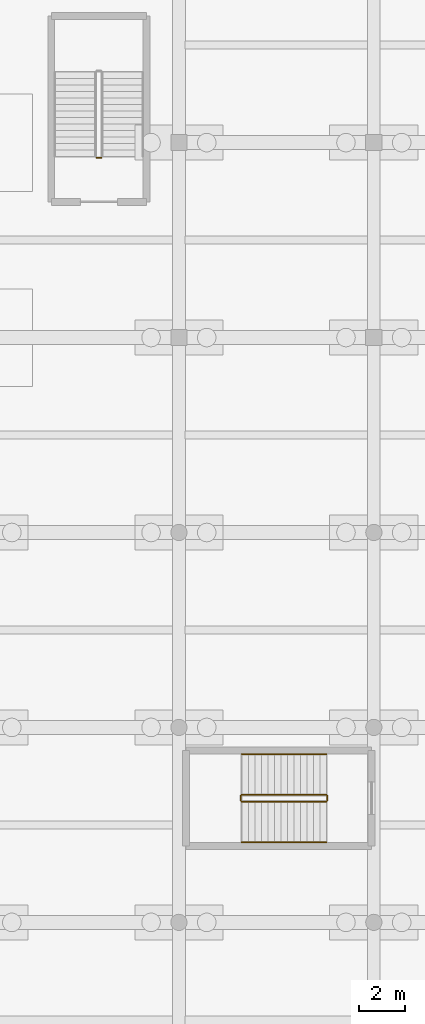
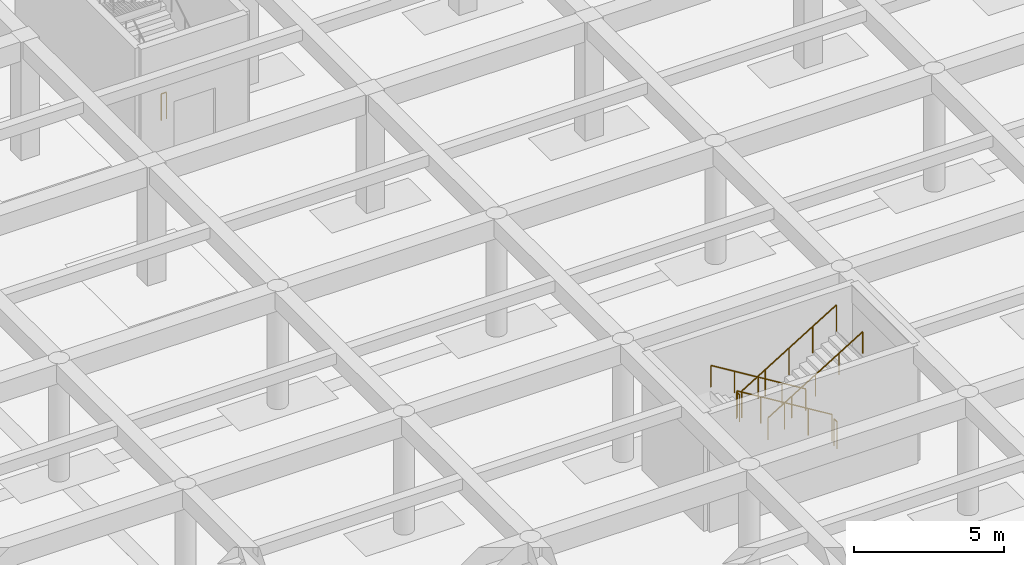
# One storey, part 42 of 51: 7 railings.
"""IFC4 building model written with IfcOpenShell, lengths in metres."""

from ifc_helpers import new_model, si_unit, direction, frame, origin, origin_2d, place, context, subcontext, project, spatial, circle, extrude, material, type_object, element, save


model = new_model("IFC4")

# Units and contexts
model_context = context("Model", 3, precision=1e-05, world=origin(), true_north=direction((0.0, 1.0)))
body_context = subcontext(model_context, "Body", "Model", "MODEL_VIEW")
ifc_project = project(units=[si_unit("LENGTHUNIT", "METRE"), si_unit("AREAUNIT", "SQUARE_METRE"), si_unit("VOLUMEUNIT", "CUBIC_METRE"), si_unit("PLANEANGLEUNIT", "RADIAN"), si_unit("MASSUNIT", "GRAM", prefix="KILO")], contexts=[model_context])

# Site, building, storey
site_placement = place(None, origin())
site = spatial("IfcSite", under=ifc_project, at=site_placement, CompositionType="ELEMENT")
building_placement = place(site_placement, origin())
building = spatial("IfcBuilding", under=site, at=building_placement, Name="Varncliffe General Hospital", CompositionType="ELEMENT")
storey_placement = place(building_placement, frame((0.0, 0.0, -4.800048828125)))
storey = spatial("IfcBuildingStorey", under=building, at=storey_placement, Name="B1", CompositionType="ELEMENT", Elevation=-4.800048828125)

# Railings
ifc_material = material(Name="Powder-coated hospital steel guardrail and handrail", Category="steel")
railing_type_1 = type_object("IfcRailingType", Name="Stair and Ramp Handrail HR46", PredefinedType="HANDRAIL", material=ifc_material)
railing_1_placement = place(storey_placement, frame((81.949951171875, 64.85009765625, 0.346923828125)))
element("IfcRailing", 1, at=railing_1_placement, inside=storey, type_object=railing_type_1, Name="B1 ST16 stair handrail 1", PredefinedType="HANDRAIL", context=body_context, shape_type="SweptSolid", body=[
    extrude(circle(Radius=0.02392578125, at=origin_2d()), frame((0.0, 0.0, 0.8759765625), z_axis=(-0.852850264322, 0.0, 0.5221555579), x_axis=(0.0, -1.0, 0.0)), (0.0, 0.0, 1.0), 4.267822265625),
    extrude(circle(Radius=0.02099609375, at=origin_2d()), origin(), (0.0, 0.0, 1.0), 0.851806640625),
    extrude(circle(Radius=0.02099609375, at=origin_2d()), frame((-0.909912109375, 0.0, 0.55712890625)), (0.0, 0.0, 1.0), 0.851806640625),
    extrude(circle(Radius=0.02099609375, at=origin_2d()), frame((-1.81982421875, 0.0, 1.1142578125)), (0.0, 0.0, 1.0), 0.851806640625),
    extrude(circle(Radius=0.02099609375, at=origin_2d()), frame((-2.72998046875, 0.0, 1.67138671875)), (0.0, 0.0, 1.0), 0.851806640625),
    extrude(circle(Radius=0.02099609375, at=origin_2d()), frame((-3.639892578125, 0.0, 2.228515625)), (0.0, 0.0, 1.0), 0.851806640625),
])
railing_2_placement = place(storey_placement, frame((78.31005859375, 61.050048828125, 2.746826171875)))
element("IfcRailing", 2, at=railing_2_placement, inside=storey, type_object=railing_type_1, Name="B1 ST16 stair handrail 2", PredefinedType="HANDRAIL", context=body_context, shape_type="SweptSolid", body=[
    extrude(circle(Radius=0.02392578125, at=origin_2d()), frame((0.0, 0.0, 0.8759765625), z_axis=(0.852824790078, 0.0, 0.522197163366), x_axis=(0.0, 1.0, 0.0)), (0.0, 0.0, 1.0), 4.26806640625),
    extrude(circle(Radius=0.02099609375, at=origin_2d()), origin(), (0.0, 0.0, 1.0), 0.851806640625),
    extrude(circle(Radius=0.02099609375, at=origin_2d()), frame((0.909912109375, 0.0, 0.55712890625)), (0.0, 0.0, 1.0), 0.851806640625),
    extrude(circle(Radius=0.02099609375, at=origin_2d()), frame((1.81982421875, 0.0, 1.1142578125)), (0.0, 0.0, 1.0), 0.851806640625),
    extrude(circle(Radius=0.02099609375, at=origin_2d()), frame((2.72998046875, 0.0, 1.671630859375)), (0.0, 0.0, 1.0), 0.851806640625),
    extrude(circle(Radius=0.02099609375, at=origin_2d()), frame((3.639892578125, 0.0, 2.228759765625)), (0.0, 0.0, 1.0), 0.851806640625),
])
railing_type_2 = type_object("IfcRailingType", Name="Stairwell Guardrail SG49", PredefinedType="GUARDRAIL", material=ifc_material)
railing_3_placement = place(storey_placement, frame((72.25, 90.550048828125, 0.0)))
element("IfcRailing", 3, at=railing_3_placement, inside=storey, type_object=railing_type_2, Name="B1 ST12 stair guard 4", PredefinedType="GUARDRAIL", context=body_context, shape_type="SweptSolid", body=[
    extrude(circle(Radius=0.02392578125, at=origin_2d()), frame((0.0, 0.0, 1.076171875), z_axis=(-1.0, 0.0, 0.0), x_axis=(0.0, -1.0, 0.0)), (0.0, 0.0, 1.0), 0.199951171875),
    extrude(circle(Radius=0.02099609375, at=origin_2d()), origin(), (0.0, 0.0, 1.0), 1.052001953125),
    extrude(circle(Radius=0.02099609375, at=origin_2d()), frame((-0.199951171875, 0.0, 0.0)), (0.0, 0.0, 1.0), 1.052001953125),
])
railing_4_placement = place(storey_placement, frame((81.949951171875, 63.10009765625, 0.17138671875)))
element("IfcRailing", 4, at=railing_4_placement, inside=storey, type_object=railing_type_2, Name="B1 ST16 stair guard 1", PredefinedType="GUARDRAIL", context=body_context, shape_type="SweptSolid", body=[
    extrude(circle(Radius=0.02392578125, at=origin_2d()), frame((0.0, 0.0, 1.076171875), z_axis=(-0.852824790078, 0.0, 0.522197163366), x_axis=(0.0, -1.0, 0.0)), (0.0, 0.0, 1.0), 4.26806640625),
    extrude(circle(Radius=0.02099609375, at=origin_2d()), origin(), (0.0, 0.0, 1.0), 1.052001953125),
    extrude(circle(Radius=0.02099609375, at=origin_2d()), frame((-0.909912109375, 0.0, 0.55712890625)), (0.0, 0.0, 1.0), 1.052001953125),
    extrude(circle(Radius=0.02099609375, at=origin_2d()), frame((-1.81982421875, 0.0, 1.1142578125)), (0.0, 0.0, 1.0), 1.052001953125),
    extrude(circle(Radius=0.02099609375, at=origin_2d()), frame((-2.72998046875, 0.0, 1.671630859375)), (0.0, 0.0, 1.0), 1.052001953125),
    extrude(circle(Radius=0.02099609375, at=origin_2d()), frame((-3.639892578125, 0.0, 2.228759765625)), (0.0, 0.0, 1.0), 1.052001953125),
])
railing_5_placement = place(storey_placement, frame((78.260009765625, 63.050048828125, 2.400146484375)))
element("IfcRailing", 5, at=railing_5_placement, inside=storey, type_object=railing_type_2, Name="B1 ST16 stair guard 2", PredefinedType="GUARDRAIL", context=body_context, shape_type="SweptSolid", body=[
    extrude(circle(Radius=0.02392578125, at=origin_2d()), frame((0.0, 0.0, 1.076171875), z_axis=(0.0, -1.0, 0.0), x_axis=(1.0, 0.0, 0.0)), (0.0, 0.0, 1.0), 0.199951171875),
    extrude(circle(Radius=0.02099609375, at=origin_2d()), origin(), (0.0, 0.0, 1.0), 1.052001953125),
    extrude(circle(Radius=0.02099609375, at=origin_2d()), frame((0.0, -0.199951171875, 0.0)), (0.0, 0.0, 1.0), 1.052001953125),
])
railing_6_placement = place(storey_placement, frame((78.31005859375, 62.800048828125, 2.571533203125)))
element("IfcRailing", 6, at=railing_6_placement, inside=storey, type_object=railing_type_2, Name="B1 ST16 stair guard 3", PredefinedType="GUARDRAIL", context=body_context, shape_type="SweptSolid", body=[
    extrude(circle(Radius=0.02392578125, at=origin_2d()), frame((0.0, 0.0, 1.076171875), z_axis=(0.852850264322, 0.0, 0.5221555579), x_axis=(0.0, 1.0, 0.0)), (0.0, 0.0, 1.0), 4.267822265625),
    extrude(circle(Radius=0.02099609375, at=origin_2d()), origin(), (0.0, 0.0, 1.0), 1.052001953125),
    extrude(circle(Radius=0.02099609375, at=origin_2d()), frame((0.909912109375, 0.0, 0.55712890625)), (0.0, 0.0, 1.0), 1.052001953125),
    extrude(circle(Radius=0.02099609375, at=origin_2d()), frame((1.81982421875, 0.0, 1.1142578125)), (0.0, 0.0, 1.0), 1.052001953125),
    extrude(circle(Radius=0.02099609375, at=origin_2d()), frame((2.72998046875, 0.0, 1.67138671875)), (0.0, 0.0, 1.0), 1.052001953125),
    extrude(circle(Radius=0.02099609375, at=origin_2d()), frame((3.639892578125, 0.0, 2.228515625)), (0.0, 0.0, 1.0), 1.052001953125),
])
railing_7_placement = place(storey_placement, frame((82.0, 63.050048828125, 0.0)))
element("IfcRailing", 7, at=railing_7_placement, inside=storey, type_object=railing_type_2, Name="B1 ST16 stair guard 4", PredefinedType="GUARDRAIL", context=body_context, shape_type="SweptSolid", body=[
    extrude(circle(Radius=0.02392578125, at=origin_2d()), frame((0.0, 0.0, 1.076171875), z_axis=(0.0, -1.0, 0.0), x_axis=(1.0, 0.0, 0.0)), (0.0, 0.0, 1.0), 0.199951171875),
    extrude(circle(Radius=0.02099609375, at=origin_2d()), origin(), (0.0, 0.0, 1.0), 1.052001953125),
    extrude(circle(Radius=0.02099609375, at=origin_2d()), frame((0.0, -0.199951171875, 0.0)), (0.0, 0.0, 1.0), 1.052001953125),
])

save(model, "model.ifc")
